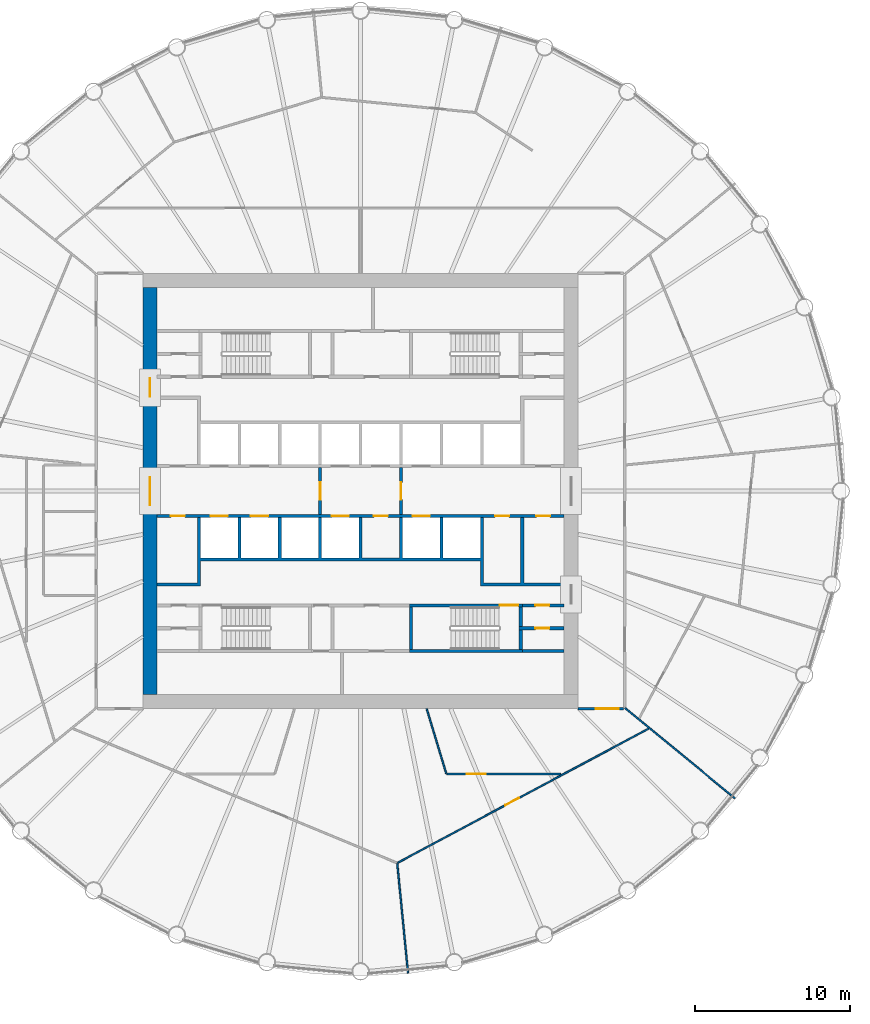
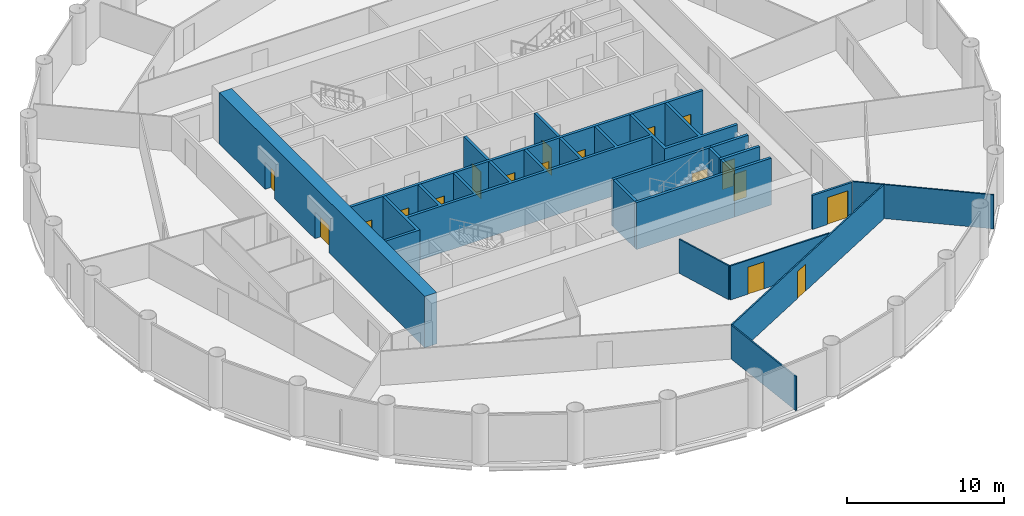
# One storey, part 5 of 9: 19 walls, 18 doors, 18 openings.
"""IFC4 building model written with IfcOpenShell, lengths in metres."""

from ifc_helpers import new_model, si_unit, direction, frame, frame_2d, origin, place, context, subcontext, project, spatial, polyline, rectangle, outline, extrude, material, layer, layer_set, type_object, element, fill, save


model = new_model("IFC4")

# Units and contexts
model_context = context("Model", 3, precision=1e-05, world=origin(), true_north=direction((0.0, 1.0)))
body_context = subcontext(model_context, "Body", "Model", "MODEL_VIEW")
ifc_project = project(units=[si_unit("LENGTHUNIT", "METRE"), si_unit("AREAUNIT", "SQUARE_METRE"), si_unit("VOLUMEUNIT", "CUBIC_METRE"), si_unit("PLANEANGLEUNIT", "RADIAN"), si_unit("MASSUNIT", "GRAM", prefix="KILO")], contexts=[model_context])

# Site, building, storey
site_placement = place(None, origin())
site = spatial("IfcSite", under=ifc_project, at=site_placement, CompositionType="ELEMENT")
building_placement = place(site_placement, origin())
building = spatial("IfcBuilding", under=site, at=building_placement, Name="Corvane Civic Tower", CompositionType="ELEMENT")
storey_placement = place(building_placement, frame((0.0, 0.0, 192.0)))
storey = spatial("IfcBuildingStorey", under=building, at=storey_placement, Name="L45", CompositionType="ELEMENT", Elevation=192.0)

# Wall, openings, doors
ifc_material_1 = material(Name="Concrete C60/75", Category="concrete")
ifc_layer_1 = layer(ifc_material_1, 0.89990234375)
ifc_layer_set_1 = layer_set([ifc_layer_1], Name="Concrete C60/75")
wall_type_1 = type_object("IfcWallType", Name="CORE WALL 900 C60/75", PredefinedType="SHEAR", material=ifc_layer_set_1)
wall_1_placement = place(storey_placement, frame((-13.550048828125, -13.10009765625, 0.0), z_axis=(0.0, 0.0, 1.0), x_axis=(0.0, 1.0, 0.0)))
wall_1 = element("IfcWall", 1, at=wall_1_placement, inside=storey, type_object=wall_type_1, Name="W-L45-core-W", PredefinedType="SHEAR", context=body_context, shape_type="SweptSolid", body=[
    extrude(rectangle(XDim=26.2001953125, YDim=0.89990234375, at=frame_2d((13.10009765625, 0.0))), origin(), (0.0, 0.0, 1.0), 4.0),
])
opening_1_placement = place(wall_1_placement, frame((12.199951171875, 0.0, 0.0)))
opening_1 = element("IfcOpeningElement", 2, at=opening_1_placement, cuts=wall_1, Name="Opening L45.C29", PredefinedType="OPENING", context=body_context, shape_type="SweptSolid", body=[
    extrude(rectangle(XDim=1.800048828125, YDim=2.10009765625, at=frame_2d((0.89990234375, 1.050048828125))), frame((0.0, 0.4599609375, 0.0), z_axis=(0.0, -1.0, 0.0), x_axis=(1.0, 0.0, 0.0)), (0.0, 0.0, 1.0), 0.919921875),
])
opening_2_placement = place(wall_1_placement, frame((19.14990234375, 0.0, 0.0)))
opening_2 = element("IfcOpeningElement", 3, at=opening_2_placement, cuts=wall_1, Name="Opening L45.C31", PredefinedType="OPENING", context=body_context, shape_type="SweptSolid", body=[
    extrude(rectangle(XDim=1.199951171875, YDim=2.10009765625, at=frame_2d((0.60009765625, 1.050048828125))), frame((0.0, 0.4599609375, 0.0), z_axis=(0.0, -1.0, 0.0), x_axis=(1.0, 0.0, 0.0)), (0.0, 0.0, 1.0), 0.919921875),
])
ifc_material_2 = material(Name="Steel fire door leaf", Category="steel")
door_type_1 = type_object("IfcDoorType", Name="CR-DOOR-CORE-1800", OperationType="DOUBLE_DOOR_SINGLE_SWING", PredefinedType="DOOR", material=ifc_material_2)
door_1_placement = place(opening_1_placement, origin())
door_1 = element("IfcDoor", 4, at=door_1_placement, inside=storey, type_object=door_type_1, Name="L45 door", OperationType="DOUBLE_DOOR_SINGLE_SWING", OverallHeight=2.10009765625, OverallWidth=1.800048828125, PredefinedType="DOOR", context=body_context, shape_type="SweptSolid", body=[
    extrude(rectangle(XDim=1.800048828125, YDim=2.10009765625, at=frame_2d((0.89990234375, 1.050048828125))), frame((0.0, 0.02490234375, 0.0), z_axis=(0.0, -1.0, 0.0), x_axis=(1.0, 0.0, 0.0)), (0.0, 0.0, 1.0), 0.050048828125),
])
fill(opening_1, door_1)
door_2_placement = place(opening_2_placement, origin())
door_2 = element("IfcDoor", 5, at=door_2_placement, inside=storey, type_object=door_type_1, Name="L45 door", OperationType="DOUBLE_DOOR_SINGLE_SWING", OverallHeight=2.10009765625, OverallWidth=1.199951171875, PredefinedType="DOOR", context=body_context, shape_type="SweptSolid", body=[
    extrude(rectangle(XDim=1.199951171875, YDim=2.10009765625, at=frame_2d((0.60009765625, 1.050048828125))), frame((0.0, 0.02490234375, 0.0), z_axis=(0.0, -1.0, 0.0), x_axis=(1.0, 0.0, 0.0)), (0.0, 0.0, 1.0), 0.050048828125),
])
fill(opening_2, door_2)

# Wall, opening, door
ifc_material_3 = material(Name="Concrete C30/37", Category="concrete")
ifc_layer_2 = layer(ifc_material_3, 0.199951171875)
ifc_layer_set_2 = layer_set([ifc_layer_2], Name="Concrete C30/37")
wall_type_2 = type_object("IfcWallType", Name="CR-WALL-200", PredefinedType="PARTITIONING", material=ifc_layer_set_2)
wall_2_placement = place(storey_placement, frame((10.199951171875, -8.824951171875, 0.0), z_axis=(0.0, 0.0, 1.0), x_axis=(1.0, 0.0, 0.0)))
wall_2 = element("IfcWall", 6, at=wall_2_placement, inside=storey, type_object=wall_type_2, Name="L45 partition wall", PredefinedType="PARTITIONING", context=body_context, shape_type="SweptSolid", body=[
    extrude(rectangle(XDim=2.900146484375, YDim=0.199951171875, at=frame_2d((1.4501953125, 0.0))), origin(), (0.0, 0.0, 1.0), 3.64990234375),
])
opening_3_placement = place(wall_2_placement, frame((1.050048828125, 0.0, 0.0)))
opening_3 = element("IfcOpeningElement", 7, at=opening_3_placement, cuts=wall_2, Name="Opening L45.C22", PredefinedType="OPENING", context=body_context, shape_type="SweptSolid", body=[
    extrude(rectangle(XDim=0.89990234375, YDim=2.10009765625, at=frame_2d((0.449951171875, 1.050048828125))), frame((0.0, 0.10986328125, 0.0), z_axis=(0.0, -1.0, 0.0), x_axis=(1.0, 0.0, 0.0)), (0.0, 0.0, 1.0), 0.219970703125),
])
ifc_material_4 = material(Name="Steel fire door leaf", Category="steel")
door_type_2 = type_object("IfcDoorType", Name="CR-DOOR-900", OperationType="SINGLE_SWING_LEFT", PredefinedType="DOOR", material=ifc_material_4)
door_3_placement = place(opening_3_placement, origin())
door_3 = element("IfcDoor", 8, at=door_3_placement, inside=storey, type_object=door_type_2, Name="L45 door", OperationType="SINGLE_SWING_LEFT", OverallHeight=2.10009765625, OverallWidth=0.89990234375, PredefinedType="DOOR", context=body_context, shape_type="SweptSolid", body=[
    extrude(rectangle(XDim=0.89990234375, YDim=2.10009765625, at=frame_2d((0.449951171875, 1.050048828125))), frame((0.0, 0.02490234375, 0.0), z_axis=(0.0, -1.0, 0.0), x_axis=(1.0, 0.0, 0.0)), (0.0, 0.0, 1.0), 0.050048828125),
])
fill(opening_3, door_3)

wall_3_placement = place(storey_placement, frame((10.39990234375, -7.35009765625, 0.0), z_axis=(0.0, 0.0, 1.0), x_axis=(1.0, 0.0, 0.0)))
wall_3 = element("IfcWall", 9, at=wall_3_placement, inside=storey, type_object=wall_type_2, Name="L45 core partition wall", PredefinedType="PARTITIONING", context=body_context, shape_type="SweptSolid", body=[
    extrude(rectangle(XDim=2.7001953125, YDim=0.199951171875, at=frame_2d((1.35009765625, 0.0))), origin(), (0.0, 0.0, 1.0), 3.64990234375),
])
opening_4_placement = place(wall_3_placement, frame((0.85009765625, 0.0, 0.0)))
opening_4 = element("IfcOpeningElement", 10, at=opening_4_placement, cuts=wall_3, Name="Opening L45.C21", PredefinedType="OPENING", context=body_context, shape_type="SweptSolid", body=[
    extrude(rectangle(XDim=0.89990234375, YDim=2.10009765625, at=frame_2d((0.449951171875, 1.050048828125))), frame((0.0, 0.10986328125, 0.0), z_axis=(0.0, -1.0, 0.0), x_axis=(1.0, 0.0, 0.0)), (0.0, 0.0, 1.0), 0.219970703125),
])
door_4_placement = place(opening_4_placement, origin())
door_4 = element("IfcDoor", 11, at=door_4_placement, inside=storey, type_object=door_type_2, Name="L45 door", OperationType="SINGLE_SWING_LEFT", OverallHeight=2.10009765625, OverallWidth=0.89990234375, PredefinedType="DOOR", context=body_context, shape_type="SweptSolid", body=[
    extrude(rectangle(XDim=0.89990234375, YDim=2.10009765625, at=frame_2d((0.449951171875, 1.050048828125))), frame((0.0, 0.02490234375, 0.0), z_axis=(0.0, -1.0, 0.0), x_axis=(1.0, 0.0, 0.0)), (0.0, 0.0, 1.0), 0.050048828125),
])
fill(opening_4, door_4)

# Wall, openings, doors
wall_4_placement = place(storey_placement, frame((-13.10009765625, -1.60009765625, 0.0), z_axis=(0.0, 0.0, 1.0), x_axis=(1.0, 0.0, 0.0)))
wall_4 = element("IfcWall", 12, at=wall_4_placement, inside=storey, type_object=wall_type_2, Name="L45 lift shaft wall", PredefinedType="PARTITIONING", context=body_context, shape_type="SweptSolid", body=[
    extrude(rectangle(XDim=26.2001953125, YDim=0.199951171875, at=frame_2d((13.10009765625, 0.0))), origin(), (0.0, 0.0, 1.0), 3.64990234375),
])
opening_5_placement = place(wall_4_placement, frame((3.449951171875, 0.0, 0.0)))
opening_5 = element("IfcOpeningElement", 13, at=opening_5_placement, cuts=wall_4, Name="Opening LD", PredefinedType="OPENING", context=body_context, shape_type="SweptSolid", body=[
    extrude(rectangle(XDim=1.10009765625, YDim=2.10009765625, at=frame_2d((0.550048828125, 1.050048828125))), frame((0.0, 0.10986328125, 0.0), z_axis=(0.0, -1.0, 0.0), x_axis=(1.0, 0.0, 0.0)), (0.0, 0.0, 1.0), 0.219970703125),
])
opening_6_placement = place(wall_4_placement, frame((6.050048828125, 0.0, 0.0)))
opening_6 = element("IfcOpeningElement", 14, at=opening_6_placement, cuts=wall_4, Name="Opening LD", PredefinedType="OPENING", context=body_context, shape_type="SweptSolid", body=[
    extrude(rectangle(XDim=1.10009765625, YDim=2.10009765625, at=frame_2d((0.550048828125, 1.050048828125))), frame((0.0, 0.10986328125, 0.0), z_axis=(0.0, -1.0, 0.0), x_axis=(1.0, 0.0, 0.0)), (0.0, 0.0, 1.0), 0.219970703125),
])
opening_7_placement = place(wall_4_placement, frame((11.25, 0.0, 0.0)))
opening_7 = element("IfcOpeningElement", 15, at=opening_7_placement, cuts=wall_4, Name="Opening LD", PredefinedType="OPENING", context=body_context, shape_type="SweptSolid", body=[
    extrude(rectangle(XDim=1.10009765625, YDim=2.10009765625, at=frame_2d((0.550048828125, 1.050048828125))), frame((0.0, 0.10986328125, 0.0), z_axis=(0.0, -1.0, 0.0), x_axis=(1.0, 0.0, 0.0)), (0.0, 0.0, 1.0), 0.219970703125),
])
opening_8_placement = place(wall_4_placement, frame((13.949951171875, 0.0, 0.0)))
opening_8 = element("IfcOpeningElement", 16, at=opening_8_placement, cuts=wall_4, Name="Opening L45.C03", PredefinedType="OPENING", context=body_context, shape_type="SweptSolid", body=[
    extrude(rectangle(XDim=0.89990234375, YDim=2.10009765625, at=frame_2d((0.449951171875, 1.050048828125))), frame((0.0, 0.10986328125, 0.0), z_axis=(0.0, -1.0, 0.0), x_axis=(1.0, 0.0, 0.0)), (0.0, 0.0, 1.0), 0.219970703125),
])
opening_9_placement = place(wall_4_placement, frame((16.449951171875, 0.0, 0.0)))
opening_9 = element("IfcOpeningElement", 17, at=opening_9_placement, cuts=wall_4, Name="Opening LD", PredefinedType="OPENING", context=body_context, shape_type="SweptSolid", body=[
    extrude(rectangle(XDim=1.10009765625, YDim=2.10009765625, at=frame_2d((0.550048828125, 1.050048828125))), frame((0.0, 0.10986328125, 0.0), z_axis=(0.0, -1.0, 0.0), x_axis=(1.0, 0.0, 0.0)), (0.0, 0.0, 1.0), 0.219970703125),
])
opening_10_placement = place(wall_4_placement, frame((0.89990234375, 0.0, 0.0)))
opening_10 = element("IfcOpeningElement", 18, at=opening_10_placement, cuts=wall_4, Name="Opening L45.C04", PredefinedType="OPENING", context=body_context, shape_type="SweptSolid", body=[
    extrude(rectangle(XDim=0.89990234375, YDim=2.10009765625, at=frame_2d((0.449951171875, 1.050048828125))), frame((0.0, 0.10986328125, 0.0), z_axis=(0.0, -1.0, 0.0), x_axis=(1.0, 0.0, 0.0)), (0.0, 0.0, 1.0), 0.219970703125),
])
opening_11_placement = place(wall_4_placement, frame((21.75, 0.0, 0.0)))
opening_11 = element("IfcOpeningElement", 19, at=opening_11_placement, cuts=wall_4, Name="Opening L45.C05", PredefinedType="OPENING", context=body_context, shape_type="SweptSolid", body=[
    extrude(rectangle(XDim=0.89990234375, YDim=2.10009765625, at=frame_2d((0.449951171875, 1.050048828125))), frame((0.0, 0.10986328125, 0.0), z_axis=(0.0, -1.0, 0.0), x_axis=(1.0, 0.0, 0.0)), (0.0, 0.0, 1.0), 0.219970703125),
])
opening_12_placement = place(wall_4_placement, frame((24.39990234375, 0.0, 0.0)))
opening_12 = element("IfcOpeningElement", 20, at=opening_12_placement, cuts=wall_4, Name="Opening L45.C06", PredefinedType="OPENING", context=body_context, shape_type="SweptSolid", body=[
    extrude(rectangle(XDim=0.89990234375, YDim=2.10009765625, at=frame_2d((0.449951171875, 1.050048828125))), frame((0.0, 0.10986328125, 0.0), z_axis=(0.0, -1.0, 0.0), x_axis=(1.0, 0.0, 0.0)), (0.0, 0.0, 1.0), 0.219970703125),
])
door_5_placement = place(opening_8_placement, origin())
door_5 = element("IfcDoor", 21, at=door_5_placement, inside=storey, type_object=door_type_2, Name="L45 door", OperationType="SINGLE_SWING_LEFT", OverallHeight=2.10009765625, OverallWidth=0.89990234375, PredefinedType="DOOR", context=body_context, shape_type="SweptSolid", body=[
    extrude(rectangle(XDim=0.89990234375, YDim=2.10009765625, at=frame_2d((0.449951171875, 1.050048828125))), frame((0.0, 0.02490234375, 0.0), z_axis=(0.0, -1.0, 0.0), x_axis=(1.0, 0.0, 0.0)), (0.0, 0.0, 1.0), 0.050048828125),
])
fill(opening_8, door_5)
door_6_placement = place(opening_10_placement, origin())
door_6 = element("IfcDoor", 22, at=door_6_placement, inside=storey, type_object=door_type_2, Name="L45 door", OperationType="SINGLE_SWING_LEFT", OverallHeight=2.10009765625, OverallWidth=0.89990234375, PredefinedType="DOOR", context=body_context, shape_type="SweptSolid", body=[
    extrude(rectangle(XDim=0.89990234375, YDim=2.10009765625, at=frame_2d((0.449951171875, 1.050048828125))), frame((0.0, 0.02490234375, 0.0), z_axis=(0.0, -1.0, 0.0), x_axis=(1.0, 0.0, 0.0)), (0.0, 0.0, 1.0), 0.050048828125),
])
fill(opening_10, door_6)
door_7_placement = place(opening_11_placement, origin())
door_7 = element("IfcDoor", 23, at=door_7_placement, inside=storey, type_object=door_type_2, Name="L45 door", OperationType="SINGLE_SWING_LEFT", OverallHeight=2.10009765625, OverallWidth=0.89990234375, PredefinedType="DOOR", context=body_context, shape_type="SweptSolid", body=[
    extrude(rectangle(XDim=0.89990234375, YDim=2.10009765625, at=frame_2d((0.449951171875, 1.050048828125))), frame((0.0, 0.02490234375, 0.0), z_axis=(0.0, -1.0, 0.0), x_axis=(1.0, 0.0, 0.0)), (0.0, 0.0, 1.0), 0.050048828125),
])
fill(opening_11, door_7)
door_8_placement = place(opening_12_placement, origin())
door_8 = element("IfcDoor", 24, at=door_8_placement, inside=storey, type_object=door_type_2, Name="L45 door", OperationType="SINGLE_SWING_LEFT", OverallHeight=2.10009765625, OverallWidth=0.89990234375, PredefinedType="DOOR", context=body_context, shape_type="SweptSolid", body=[
    extrude(rectangle(XDim=0.89990234375, YDim=2.10009765625, at=frame_2d((0.449951171875, 1.050048828125))), frame((0.0, 0.02490234375, 0.0), z_axis=(0.0, -1.0, 0.0), x_axis=(1.0, 0.0, 0.0)), (0.0, 0.0, 1.0), 0.050048828125),
])
fill(opening_12, door_8)
ifc_material_5 = material(Name="Stainless steel 316 door leaves", Category="steel")
door_type_3 = type_object("IfcDoorType", Name="LD", OperationType="DOUBLE_DOOR_SLIDING", PredefinedType="DOOR", material=ifc_material_5)
door_9_placement = place(opening_5_placement, origin())
door_9 = element("IfcDoor", 25, at=door_9_placement, inside=storey, type_object=door_type_3, Name="L45 landing door", OperationType="DOUBLE_DOOR_SLIDING", OverallHeight=2.10009765625, OverallWidth=1.10009765625, PredefinedType="DOOR", context=body_context, shape_type="SweptSolid", body=[
    extrude(rectangle(XDim=1.10009765625, YDim=2.10009765625, at=frame_2d((0.550048828125, 1.050048828125))), frame((0.0, 0.02490234375, 0.0), z_axis=(0.0, -1.0, 0.0), x_axis=(1.0, 0.0, 0.0)), (0.0, 0.0, 1.0), 0.050048828125),
])
fill(opening_5, door_9)
door_10_placement = place(opening_6_placement, origin())
door_10 = element("IfcDoor", 26, at=door_10_placement, inside=storey, type_object=door_type_3, Name="L45 landing door", OperationType="DOUBLE_DOOR_SLIDING", OverallHeight=2.10009765625, OverallWidth=1.10009765625, PredefinedType="DOOR", context=body_context, shape_type="SweptSolid", body=[
    extrude(rectangle(XDim=1.10009765625, YDim=2.10009765625, at=frame_2d((0.550048828125, 1.050048828125))), frame((0.0, 0.02490234375, 0.0), z_axis=(0.0, -1.0, 0.0), x_axis=(1.0, 0.0, 0.0)), (0.0, 0.0, 1.0), 0.050048828125),
])
fill(opening_6, door_10)
door_11_placement = place(opening_7_placement, origin())
door_11 = element("IfcDoor", 27, at=door_11_placement, inside=storey, type_object=door_type_3, Name="L45 landing door", OperationType="DOUBLE_DOOR_SLIDING", OverallHeight=2.10009765625, OverallWidth=1.10009765625, PredefinedType="DOOR", context=body_context, shape_type="SweptSolid", body=[
    extrude(rectangle(XDim=1.10009765625, YDim=2.10009765625, at=frame_2d((0.550048828125, 1.050048828125))), frame((0.0, 0.02490234375, 0.0), z_axis=(0.0, -1.0, 0.0), x_axis=(1.0, 0.0, 0.0)), (0.0, 0.0, 1.0), 0.050048828125),
])
fill(opening_7, door_11)
door_12_placement = place(opening_9_placement, origin())
door_12 = element("IfcDoor", 28, at=door_12_placement, inside=storey, type_object=door_type_3, Name="L45 landing door", OperationType="DOUBLE_DOOR_SLIDING", OverallHeight=2.10009765625, OverallWidth=1.10009765625, PredefinedType="DOOR", context=body_context, shape_type="SweptSolid", body=[
    extrude(rectangle(XDim=1.10009765625, YDim=2.10009765625, at=frame_2d((0.550048828125, 1.050048828125))), frame((0.0, 0.02490234375, 0.0), z_axis=(0.0, -1.0, 0.0), x_axis=(1.0, 0.0, 0.0)), (0.0, 0.0, 1.0), 0.050048828125),
])
fill(opening_9, door_12)

# Wall, opening, door
wall_5_placement = place(storey_placement, frame((-2.60009765625, -1.5, 0.0), z_axis=(0.0, 0.0, 1.0), x_axis=(0.0, 1.0, 0.0)))
wall_5 = element("IfcWall", 29, at=wall_5_placement, inside=storey, type_object=wall_type_2, Name="L45 firefighting lobby wall", PredefinedType="PARTITIONING", context=body_context, shape_type="SweptSolid", body=[
    extrude(rectangle(XDim=3.0, YDim=0.199951171875, at=frame_2d((1.5, 0.0))), origin(), (0.0, 0.0, 1.0), 3.64990234375),
])
opening_13_placement = place(wall_5_placement, frame((0.949951171875, 0.0, 0.0)))
opening_13 = element("IfcOpeningElement", 30, at=opening_13_placement, cuts=wall_5, Name="Opening L45.C27", PredefinedType="OPENING", context=body_context, shape_type="SweptSolid", body=[
    extrude(rectangle(XDim=1.10009765625, YDim=2.10009765625, at=frame_2d((0.550048828125, 1.050048828125))), frame((0.0, 0.10986328125, 0.0), z_axis=(0.0, -1.0, 0.0), x_axis=(1.0, 0.0, 0.0)), (0.0, 0.0, 1.0), 0.219970703125),
])
ifc_material_6 = material(Name="Steel fire door leaf", Category="steel")
door_type_4 = type_object("IfcDoorType", Name="CR-DOOR-FFL-1100", OperationType="SINGLE_SWING_LEFT", PredefinedType="DOOR", material=ifc_material_6)
door_13_placement = place(opening_13_placement, origin())
door_13 = element("IfcDoor", 31, at=door_13_placement, inside=storey, type_object=door_type_4, Name="L45 lobby door", OperationType="SINGLE_SWING_LEFT", OverallHeight=2.10009765625, OverallWidth=1.10009765625, PredefinedType="DOOR", context=body_context, shape_type="SweptSolid", body=[
    extrude(rectangle(XDim=1.10009765625, YDim=2.10009765625, at=frame_2d((0.550048828125, 1.050048828125))), frame((0.0, 0.02490234375, 0.0), z_axis=(0.0, -1.0, 0.0), x_axis=(1.0, 0.0, 0.0)), (0.0, 0.0, 1.0), 0.050048828125),
])
fill(opening_13, door_13)

wall_6_placement = place(storey_placement, frame((2.60009765625, -1.5, 0.0), z_axis=(0.0, 0.0, 1.0), x_axis=(0.0, 1.0, 0.0)))
wall_6 = element("IfcWall", 32, at=wall_6_placement, inside=storey, type_object=wall_type_2, Name="L45 firefighting lobby wall", PredefinedType="PARTITIONING", context=body_context, shape_type="SweptSolid", body=[
    extrude(rectangle(XDim=3.0, YDim=0.199951171875, at=frame_2d((1.5, 0.0))), origin(), (0.0, 0.0, 1.0), 3.64990234375),
])
opening_14_placement = place(wall_6_placement, frame((0.949951171875, 0.0, 0.0)))
opening_14 = element("IfcOpeningElement", 33, at=opening_14_placement, cuts=wall_6, Name="Opening L45.C28", PredefinedType="OPENING", context=body_context, shape_type="SweptSolid", body=[
    extrude(rectangle(XDim=1.10009765625, YDim=2.10009765625, at=frame_2d((0.550048828125, 1.050048828125))), frame((0.0, 0.10986328125, 0.0), z_axis=(0.0, -1.0, 0.0), x_axis=(1.0, 0.0, 0.0)), (0.0, 0.0, 1.0), 0.219970703125),
])
door_14_placement = place(opening_14_placement, origin())
door_14 = element("IfcDoor", 34, at=door_14_placement, inside=storey, type_object=door_type_4, Name="L45 lobby door", OperationType="SINGLE_SWING_LEFT", OverallHeight=2.10009765625, OverallWidth=1.10009765625, PredefinedType="DOOR", context=body_context, shape_type="SweptSolid", body=[
    extrude(rectangle(XDim=1.10009765625, YDim=2.10009765625, at=frame_2d((0.550048828125, 1.050048828125))), frame((0.0, 0.02490234375, 0.0), z_axis=(0.0, -1.0, 0.0), x_axis=(1.0, 0.0, 0.0)), (0.0, 0.0, 1.0), 0.050048828125),
])
fill(opening_14, door_14)

# Walls
wall_7_placement = place(storey_placement, origin())
element("IfcWall", 35, at=wall_7_placement, inside=storey, type_object=wall_type_2, Name="L45 core partition wall", PredefinedType="PARTITIONING", context=body_context, shape_type="SweptSolid", body=[
    extrude(outline(polyline([(-10.5, -1.699951171875), (-10.300048828125, -1.699951171875), (-10.300048828125, -4.300048828125), (-7.89990234375, -4.300048828125), (-7.89990234375, -1.699951171875), (-7.699951171875, -1.699951171875), (-7.699951171875, -4.300048828125), (-5.300048828125, -4.300048828125), (-5.300048828125, -1.699951171875), (-5.10009765625, -1.699951171875), (-5.10009765625, -4.300048828125), (-2.699951171875, -4.300048828125), (-2.699951171875, -1.699951171875), (-2.5, -1.699951171875), (-2.5, -4.300048828125), (-0.10009765625, -4.300048828125), (-0.10009765625, -1.699951171875), (0.10009765625, -1.699951171875), (0.10009765625, -4.300048828125), (2.5, -4.300048828125), (2.5, -1.699951171875), (2.699951171875, -1.699951171875), (2.699951171875, -4.300048828125), (5.10009765625, -4.300048828125), (5.10009765625, -1.699951171875), (5.300048828125, -1.699951171875), (5.300048828125, -4.300048828125), (7.699951171875, -4.300048828125), (7.699951171875, -1.699951171875), (7.89990234375, -1.699951171875), (7.89990234375, -5.89990234375), (10.300048828125, -5.89990234375), (10.300048828125, -1.699951171875), (10.5, -1.699951171875), (10.5, -5.89990234375), (13.10009765625, -5.89990234375), (13.10009765625, -6.10009765625), (7.699951171875, -6.10009765625), (7.699951171875, -4.5), (-10.300048828125, -4.5), (-10.300048828125, -6.10009765625), (-13.10009765625, -6.10009765625), (-13.10009765625, -5.89990234375), (-10.5, -5.89990234375), (-10.5, -1.699951171875)])), origin(), (0.0, 0.0, 1.0), 3.64990234375),
])
wall_8_placement = place(storey_placement, origin())
element("IfcWall", 36, at=wall_8_placement, inside=storey, type_object=wall_type_2, Name="L45 core partition wall", PredefinedType="PARTITIONING", context=body_context, shape_type="SweptSolid", body=[
    extrude(outline(polyline([(10.39990234375, -10.39990234375), (10.39990234375, -10.199951171875), (13.10009765625, -10.199951171875), (13.10009765625, -10.39990234375), (10.39990234375, -10.39990234375)])), origin(), (0.0, 0.0, 1.0), 3.64990234375),
])
ifc_material_7 = material(Name="Plasterboard")
ifc_layer_3 = layer(ifc_material_7, 0.10009765625)
ifc_layer_set_3 = layer_set([ifc_layer_3], Name="Plasterboard")
wall_type_3 = type_object("IfcWallType", Name="Partition 100 plasterboard on studs", PredefinedType="PARTITIONING", material=ifc_layer_set_3)
wall_9_placement = place(storey_placement, frame((2.35986328125, -23.959228515625, 0.0), z_axis=(0.0, 0.0, 1.0), x_axis=(0.098000323415, -0.99518638285, 0.0)))
element("IfcWall", 37, at=wall_9_placement, inside=storey, type_object=wall_type_3, Name="Partition L45.001", PredefinedType="PARTITIONING", context=body_context, shape_type="SweptSolid", body=[
    extrude(rectangle(XDim=7.074951171875, YDim=0.10009765625, at=frame_2d((3.53759765625, 0.0))), origin(), (0.0, 0.0, 1.0), 2.64990234375),
])

# Wall, opening, door
wall_10_placement = place(storey_placement, frame((2.385986328125, -23.91015625, 0.0), z_axis=(0.0, 0.0, 1.0), x_axis=(0.881918084069, 0.471402686663, 0.0)))
wall_10 = element("IfcWall", 38, at=wall_10_placement, inside=storey, type_object=wall_type_3, Name="Partition L45.003", PredefinedType="PARTITIONING", context=body_context, shape_type="SweptSolid", body=[
    extrude(rectangle(XDim=18.292236328125, YDim=0.10009765625, at=frame_2d((9.14599609375, 0.0))), origin(), (0.0, 0.0, 1.0), 2.64990234375),
])
opening_15_placement = place(wall_10_placement, frame((7.849609375, 0.0, 0.0)))
opening_15 = element("IfcOpeningElement", 39, at=opening_15_placement, cuts=wall_10, Name="Opening L45.007", PredefinedType="OPENING", context=body_context, shape_type="SweptSolid", body=[
    extrude(rectangle(XDim=1.0, YDim=2.10009765625, at=frame_2d((0.5, 1.050048828125))), frame((0.0, 0.06005859375, 0.0), z_axis=(0.0, -1.0, 0.0), x_axis=(1.0, 0.0, 0.0)), (0.0, 0.0, 1.0), 0.1201171875),
])
ifc_material_8 = material(Name="Timber", Category="wood")
door_type_5 = type_object("IfcDoorType", Name="Single door 1000", OperationType="NOTDEFINED", PredefinedType="DOOR", material=ifc_material_8)
door_15_placement = place(opening_15_placement, frame((1.0, 0.0, 0.0), z_axis=(0.0, 0.0, 1.0), x_axis=(-1.0, 0.0, 0.0)))
door_15 = element("IfcDoor", 40, at=door_15_placement, inside=storey, type_object=door_type_5, Name="Door L45.007", OperationType="SINGLE_SWING_RIGHT", OverallHeight=2.10009765625, OverallWidth=1.0, PredefinedType="DOOR", context=body_context, shape_type="SweptSolid", body=[
    extrude(rectangle(XDim=1.0, YDim=2.10009765625, at=frame_2d((0.5, 1.050048828125))), frame((0.0, 0.02490234375, 0.0), z_axis=(0.0, -1.0, 0.0), x_axis=(1.0, 0.0, 0.0)), (0.0, 0.0, 1.0), 0.050048828125),
])
fill(opening_15, door_15)

# Wall
wall_11_placement = place(storey_placement, frame((17.018310546875, -13.966552734375, 0.0), z_axis=(0.0, 0.0, 1.0), x_axis=(0.773006154143, -0.634398522742, 0.0)))
element("IfcWall", 41, at=wall_11_placement, inside=storey, type_object=wall_type_3, Name="Partition L45.005", PredefinedType="PARTITIONING", context=body_context, shape_type="SweptSolid", body=[
    extrude(rectangle(XDim=9.134521484375, YDim=0.10009765625, at=frame_2d((4.5673828125, 0.0))), origin(), (0.0, 0.0, 1.0), 2.64990234375),
])

# Wall, opening, door
wall_12_placement = place(storey_placement, frame((5.55810546875, -18.199951171875, 0.0), z_axis=(0.0, 0.0, 1.0), x_axis=(1.0, 0.0, 0.0)))
wall_12 = element("IfcWall", 42, at=wall_12_placement, inside=storey, type_object=wall_type_3, Name="Partition L45.007", PredefinedType="PARTITIONING", context=body_context, shape_type="SweptSolid", body=[
    extrude(rectangle(XDim=7.311279296875, YDim=0.10009765625, at=frame_2d((3.65576171875, 0.0))), origin(), (0.0, 0.0, 1.0), 2.64990234375),
])
opening_16_placement = place(wall_12_placement, frame((1.2802734375, 0.0, 0.0)))
opening_16 = element("IfcOpeningElement", 43, at=opening_16_placement, cuts=wall_12, Name="Opening L45.009", PredefinedType="OPENING", context=body_context, shape_type="SweptSolid", body=[
    extrude(rectangle(XDim=1.199951171875, YDim=2.10009765625, at=frame_2d((0.60009765625, 1.050048828125))), frame((0.0, 0.06005859375, 0.0), z_axis=(0.0, -1.0, 0.0), x_axis=(1.0, 0.0, 0.0)), (0.0, 0.0, 1.0), 0.1201171875),
])
ifc_material_9 = material(Name="Timber", Category="wood")
door_type_6 = type_object("IfcDoorType", Name="Double door 1200", OperationType="NOTDEFINED", PredefinedType="DOOR", material=ifc_material_9)
door_16_placement = place(opening_16_placement, frame((1.199951171875, 0.0, 0.0), z_axis=(0.0, 0.0, 1.0), x_axis=(-1.0, 0.0, 0.0)))
door_16 = element("IfcDoor", 44, at=door_16_placement, inside=storey, type_object=door_type_6, Name="Door L45.009", OperationType="DOUBLE_DOOR_SINGLE_SWING", OverallHeight=2.10009765625, OverallWidth=1.199951171875, PredefinedType="DOOR", context=body_context, shape_type="SweptSolid", body=[
    extrude(rectangle(XDim=1.199951171875, YDim=2.10009765625, at=frame_2d((0.60009765625, 1.050048828125))), frame((0.0, 0.02490234375, 0.0), z_axis=(0.0, -1.0, 0.0), x_axis=(1.0, 0.0, 0.0)), (0.0, 0.0, 1.0), 0.050048828125),
])
fill(opening_16, door_16)

# Wall
wall_13_placement = place(storey_placement, frame((4.246826171875, -14.0, 0.0), z_axis=(0.0, 0.0, 1.0), x_axis=(0.290259621343, -0.956947936002, 0.0)))
element("IfcWall", 45, at=wall_13_placement, inside=storey, type_object=wall_type_3, Name="Partition L45.009", PredefinedType="PARTITIONING", context=body_context, shape_type="SweptSolid", body=[
    extrude(rectangle(XDim=4.351806640625, YDim=0.10009765625, at=frame_2d((2.17578125, 0.0))), origin(), (0.0, 0.0, 1.0), 2.64990234375),
])

# Wall, opening, door
ifc_material_10 = material(Name="Concrete C50/60", Category="concrete")
ifc_layer_4 = layer(ifc_material_10, 0.199951171875)
ifc_layer_set_4 = layer_set([ifc_layer_4], Name="Concrete C50/60")
wall_type_4 = type_object("IfcWallType", Name="ST-WALL-200", PredefinedType="SHEAR", material=ifc_layer_set_4)
wall_14_placement = place(storey_placement, frame((3.14990234375, -7.35009765625, 0.0), z_axis=(0.0, 0.0, 1.0), x_axis=(1.0, 0.0, 0.0)))
wall_14 = element("IfcWall", 46, at=wall_14_placement, inside=storey, type_object=wall_type_4, Name="L45 stair enclosure wall", PredefinedType="SHEAR", context=body_context, shape_type="SweptSolid", body=[
    extrude(rectangle(XDim=7.25, YDim=0.199951171875, at=frame_2d((3.625, 0.0))), origin(), (0.0, 0.0, 1.0), 3.64990234375),
])
opening_17_placement = place(wall_14_placement, frame((5.800048828125, 0.0, 0.0)))
opening_17 = element("IfcOpeningElement", 47, at=opening_17_placement, cuts=wall_14, Name="Opening L45.C25", PredefinedType="OPENING", context=body_context, shape_type="SweptSolid", body=[
    extrude(rectangle(XDim=1.199951171875, YDim=2.10009765625, at=frame_2d((0.60009765625, 1.050048828125))), frame((0.0, 0.10986328125, 0.0), z_axis=(0.0, -1.0, 0.0), x_axis=(1.0, 0.0, 0.0)), (0.0, 0.0, 1.0), 0.219970703125),
])
ifc_material_11 = material(Name="Steel fire door leaf", Category="steel")
door_type_7 = type_object("IfcDoorType", Name="ST-DOOR-1200", OperationType="SINGLE_SWING_RIGHT", PredefinedType="DOOR", material=ifc_material_11)
door_17_placement = place(opening_17_placement, origin())
door_17 = element("IfcDoor", 48, at=door_17_placement, inside=storey, type_object=door_type_7, Name="L45 stair door", OperationType="SINGLE_SWING_RIGHT", OverallHeight=2.10009765625, OverallWidth=1.199951171875, PredefinedType="DOOR", context=body_context, shape_type="SweptSolid", body=[
    extrude(rectangle(XDim=1.199951171875, YDim=2.10009765625, at=frame_2d((0.60009765625, 1.050048828125))), frame((0.0, 0.02490234375, 0.0), z_axis=(0.0, -1.0, 0.0), x_axis=(1.0, 0.0, 0.0)), (0.0, 0.0, 1.0), 0.050048828125),
])
fill(opening_17, door_17)

# Walls
wall_15_placement = place(storey_placement, origin())
element("IfcWall", 49, at=wall_15_placement, inside=storey, type_object=wall_type_4, Name="L45 stair enclosure wall", PredefinedType="SHEAR", context=body_context, shape_type="SweptSolid", body=[
    extrude(outline(polyline([(10.39990234375, -10.39990234375), (3.14990234375, -10.39990234375), (3.14990234375, -10.199951171875), (10.39990234375, -10.199951171875), (10.39990234375, -10.39990234375)])), origin(), (0.0, 0.0, 1.0), 3.64990234375),
])
wall_16_placement = place(storey_placement, origin())
element("IfcWall", 50, at=wall_16_placement, inside=storey, type_object=wall_type_4, Name="L45 stair enclosure wall", PredefinedType="SHEAR", context=body_context, shape_type="SweptSolid", body=[
    extrude(outline(polyline([(3.35009765625, -7.449951171875), (3.35009765625, -10.199951171875), (3.14990234375, -10.199951171875), (3.14990234375, -7.449951171875), (3.35009765625, -7.449951171875)])), origin(), (0.0, 0.0, 1.0), 3.64990234375),
])
wall_17_placement = place(storey_placement, origin())
element("IfcWall", 51, at=wall_17_placement, inside=storey, type_object=wall_type_4, Name="L45 stair enclosure wall", PredefinedType="SHEAR", context=body_context, shape_type="SweptSolid", body=[
    extrude(outline(polyline([(10.39990234375, -7.449951171875), (10.39990234375, -8.72509765625), (10.199951171875, -8.72509765625), (10.199951171875, -7.449951171875), (10.39990234375, -7.449951171875)])), origin(), (0.0, 0.0, 1.0), 3.64990234375),
])
wall_18_placement = place(storey_placement, origin())
element("IfcWall", 52, at=wall_18_placement, inside=storey, type_object=wall_type_4, Name="L45 stair enclosure wall", PredefinedType="SHEAR", context=body_context, shape_type="SweptSolid", body=[
    extrude(outline(polyline([(10.39990234375, -8.925048828125), (10.39990234375, -10.199951171875), (10.199951171875, -10.199951171875), (10.199951171875, -8.925048828125), (10.39990234375, -8.925048828125)])), origin(), (0.0, 0.0, 1.0), 3.64990234375),
])

# Wall, opening, door
ifc_material_12 = material(Name="Plasterboard")
ifc_layer_5 = layer(ifc_material_12, 0.14990234375)
ifc_layer_set_5 = layer_set([ifc_layer_5], Name="Plasterboard")
wall_type_5 = type_object("IfcWallType", Name="Tenancy wall 150 EI 60", PredefinedType="PARTITIONING", material=ifc_layer_set_5)
wall_19_placement = place(storey_placement, frame((13.989990234375, -14.0, 0.0), z_axis=(0.0, 0.0, 1.0), x_axis=(1.0, 0.0, 0.0)))
wall_19 = element("IfcWall", 53, at=wall_19_placement, inside=storey, type_object=wall_type_5, Name="Partition L45.013", PredefinedType="PARTITIONING", context=body_context, shape_type="SweptSolid", body=[
    extrude(rectangle(XDim=2.93505859375, YDim=0.14990234375, at=frame_2d((1.467529296875, 0.0))), origin(), (0.0, 0.0, 1.0), 2.64990234375),
])
opening_18_placement = place(wall_19_placement, frame((1.12548828125, 0.0, 0.0)))
opening_18 = element("IfcOpeningElement", 54, at=opening_18_placement, cuts=wall_19, Name="Opening L45.010", PredefinedType="OPENING", context=body_context, shape_type="SweptSolid", body=[
    extrude(rectangle(XDim=1.5, YDim=2.10009765625, at=frame_2d((0.75, 1.050048828125))), frame((0.0, 0.0849609375, 0.0), z_axis=(0.0, -1.0, 0.0), x_axis=(1.0, 0.0, 0.0)), (0.0, 0.0, 1.0), 0.169921875),
])
ifc_material_13 = material(Name="Steel and timber", Category="steel")
door_type_8 = type_object("IfcDoorType", Name="Fire door FD60 double 1500", OperationType="NOTDEFINED", PredefinedType="DOOR", material=ifc_material_13)
door_18_placement = place(opening_18_placement, frame((1.5, 0.0, 0.0), z_axis=(0.0, 0.0, 1.0), x_axis=(-1.0, 0.0, 0.0)))
door_18 = element("IfcDoor", 55, at=door_18_placement, inside=storey, type_object=door_type_8, Name="Door L45.010", OperationType="DOUBLE_DOOR_SINGLE_SWING", OverallHeight=2.10009765625, OverallWidth=1.5, PredefinedType="DOOR", context=body_context, shape_type="SweptSolid", body=[
    extrude(rectangle(XDim=1.5, YDim=2.10009765625, at=frame_2d((0.75, 1.050048828125))), frame((0.0, 0.02490234375, 0.0), z_axis=(0.0, -1.0, 0.0), x_axis=(1.0, 0.0, 0.0)), (0.0, 0.0, 1.0), 0.050048828125),
])
fill(opening_18, door_18)

save(model, "model.ifc")
